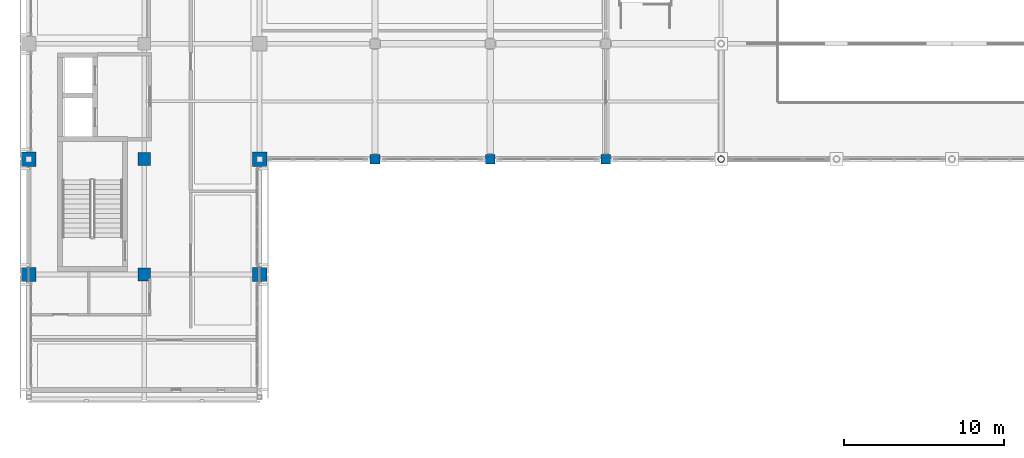
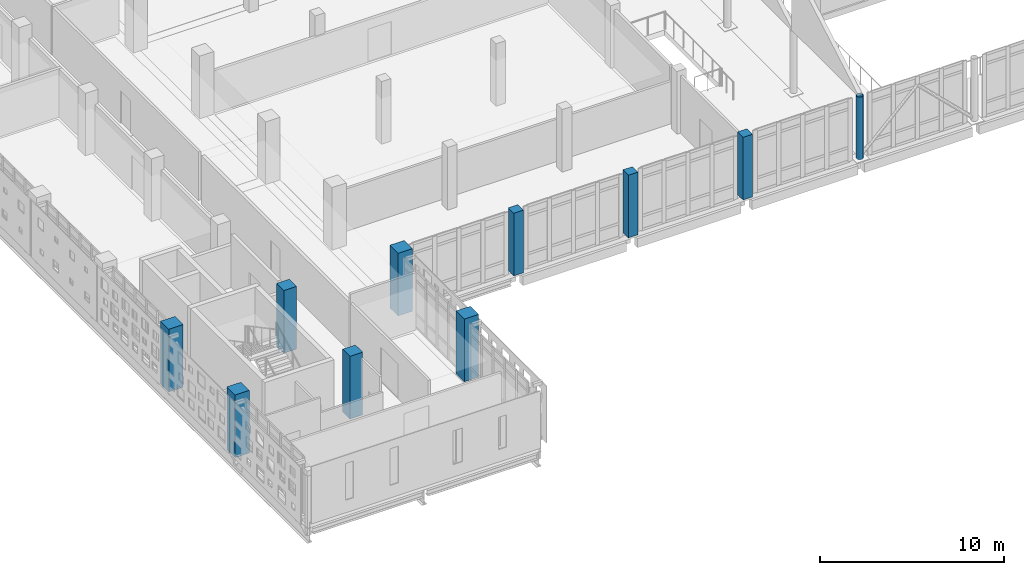
# One storey, part 1 of 62: 10 columns.
"""IFC4 building model written with IfcOpenShell, lengths in metres."""

from ifc_helpers import new_model, si_unit, direction, frame, origin, origin_2d, place, context, subcontext, project, spatial, rectangle, hollow_circle, extrude, material, material_profile, profile_set, type_object, element, save


model = new_model("IFC4")

# Units and contexts
model_context = context("Model", 3, precision=1e-05, world=origin(), true_north=direction((0.0, 1.0)))
body_context = subcontext(model_context, "Body", "Model", "MODEL_VIEW")
ifc_project = project(units=[si_unit("LENGTHUNIT", "METRE"), si_unit("AREAUNIT", "SQUARE_METRE"), si_unit("VOLUMEUNIT", "CUBIC_METRE"), si_unit("PLANEANGLEUNIT", "RADIAN"), si_unit("MASSUNIT", "GRAM", prefix="KILO")], contexts=[model_context])

# Site, building, storey
site_placement = place(None, origin())
site = spatial("IfcSite", under=ifc_project, at=site_placement, CompositionType="ELEMENT")
building_placement = place(site_placement, origin())
building = spatial("IfcBuilding", under=site, at=building_placement, Name="Valkovuoma Quantum and Materials Research Institute", CompositionType="ELEMENT")
storey_placement = place(building_placement, frame((0.0, 0.0, 13.1201171875)))
storey = spatial("IfcBuildingStorey", under=building, at=storey_placement, Name="L03", CompositionType="ELEMENT", Elevation=13.1201171875)

# Columns
ifc_material_1 = material(Name="Steel S355J2H", Category="steel")
ifc_material_profile_1 = material_profile(ifc_material_1, hollow_circle(Radius=0.203125, WallThickness=0.01611328125, at=origin_2d()), Name="Steel S355J2H")
ifc_profile_set_1 = profile_set([ifc_material_profile_1], Name="Steel S355J2H")
column_type_1 = type_object("IfcColumnType", Name="Col-C-CHS406", PredefinedType="COLUMN", material=ifc_profile_set_1)
column_placement = place(storey_placement, frame((43.199951171875, 36.0, 0.0), z_axis=(0.0, 0.0, 1.0), x_axis=(1.0, 0.0, 0.0)))
element("IfcColumn", 1, at=column_placement, inside=storey, type_object=column_type_1, Name="L03 column 07F", PredefinedType="COLUMN", context=body_context, shape_type="SweptSolid", body=[
    extrude(hollow_circle(Radius=0.203125, WallThickness=0.01611328125, at=origin_2d()), origin(), (0.0, 0.0, 1.0), 4.159912109375),
])
ifc_material_2 = material(Name="Concrete C40/50", Category="concrete")
ifc_material_profile_2 = material_profile(ifc_material_2, rectangle(XDim=0.60009765625, YDim=0.60009765625, at=origin_2d()), Name="Concrete C40/50")
ifc_profile_set_2 = profile_set([ifc_material_profile_2], Name="Concrete C40/50")
column_type_2 = type_object("IfcColumnType", Name="Col-C-RC600", PredefinedType="COLUMN", material=ifc_profile_set_2)
for number, where, z_axis, x_axis, name in (
    (2, (21.60009765625, 36.0, 0.0), (0.0, 0.0, 1.0), (1.0, 0.0, 0.0), "L03 column 04F"),
    (3, (28.800048828125, 36.0, 0.0), (0.0, 0.0, 1.0), (1.0, 0.0, 0.0), "L03 column 05F"),
    (4, (36.0, 36.0, 0.0), (0.0, 0.0, 1.0), (1.0, 0.0, 0.0), "L03 column 06F"),
):
    element("IfcColumn", number, at=place(storey_placement, frame(where, z_axis=z_axis, x_axis=x_axis)), inside=storey, type_object=column_type_2, Name=name, PredefinedType="COLUMN", context=body_context, shape_type="SweptSolid", body=[
        extrude(rectangle(XDim=0.60009765625, YDim=0.60009765625, at=origin_2d()), origin(), (0.0, 0.0, 1.0), 4.159912109375),
    ])
ifc_material_3 = material(Name="Concrete C50/60", Category="concrete")
ifc_material_profile_3 = material_profile(ifc_material_3, rectangle(XDim=0.800048828125, YDim=0.800048828125, at=origin_2d()), Name="Concrete C50/60")
ifc_profile_set_3 = profile_set([ifc_material_profile_3], Name="Concrete C50/60")
column_type_3 = type_object("IfcColumnType", Name="Col-C-RC800", PredefinedType="COLUMN", material=ifc_profile_set_3)
for number, where, z_axis, x_axis, name in (
    (5, (7.199951171875, 28.800048828125, 0.0), (0.0, 0.0, 1.0), (1.0, 0.0, 0.0), "L03 column 02E"),
    (6, (7.199951171875, 36.0, 0.0), (0.0, 0.0, 1.0), (1.0, 0.0, 0.0), "L03 column 02F"),
):
    element("IfcColumn", number, at=place(storey_placement, frame(where, z_axis=z_axis, x_axis=x_axis)), inside=storey, type_object=column_type_3, Name=name, PredefinedType="COLUMN", context=body_context, shape_type="SweptSolid", body=[
        extrude(rectangle(XDim=0.800048828125, YDim=0.800048828125, at=origin_2d()), origin(), (0.0, 0.0, 1.0), 4.159912109375),
    ])
ifc_material_4 = material(Name="Concrete C50/60", Category="concrete")
ifc_material_profile_4 = material_profile(ifc_material_4, rectangle(XDim=0.89990234375, YDim=0.89990234375, at=origin_2d()), Name="Concrete C50/60")
ifc_profile_set_4 = profile_set([ifc_material_profile_4], Name="Concrete C50/60")
column_type_4 = type_object("IfcColumnType", Name="Col-C-RC900", PredefinedType="COLUMN", material=ifc_profile_set_4)
for number, where, z_axis, x_axis, name in (
    (7, (0.0, 28.800048828125, 0.0), (0.0, 0.0, 1.0), (1.0, 0.0, 0.0), "L03 column 01E"),
    (8, (0.0, 36.0, 0.0), (0.0, 0.0, 1.0), (1.0, 0.0, 0.0), "L03 column 01F"),
    (9, (14.39990234375, 28.800048828125, 0.0), (0.0, 0.0, 1.0), (1.0, 0.0, 0.0), "L03 column 03E"),
    (10, (14.39990234375, 36.0, 0.0), (0.0, 0.0, 1.0), (1.0, 0.0, 0.0), "L03 column 03F"),
):
    element("IfcColumn", number, at=place(storey_placement, frame(where, z_axis=z_axis, x_axis=x_axis)), inside=storey, type_object=column_type_4, Name=name, PredefinedType="COLUMN", context=body_context, shape_type="SweptSolid", body=[
        extrude(rectangle(XDim=0.89990234375, YDim=0.89990234375, at=origin_2d()), origin(), (0.0, 0.0, 1.0), 4.159912109375),
    ])

save(model, "model.ifc")
